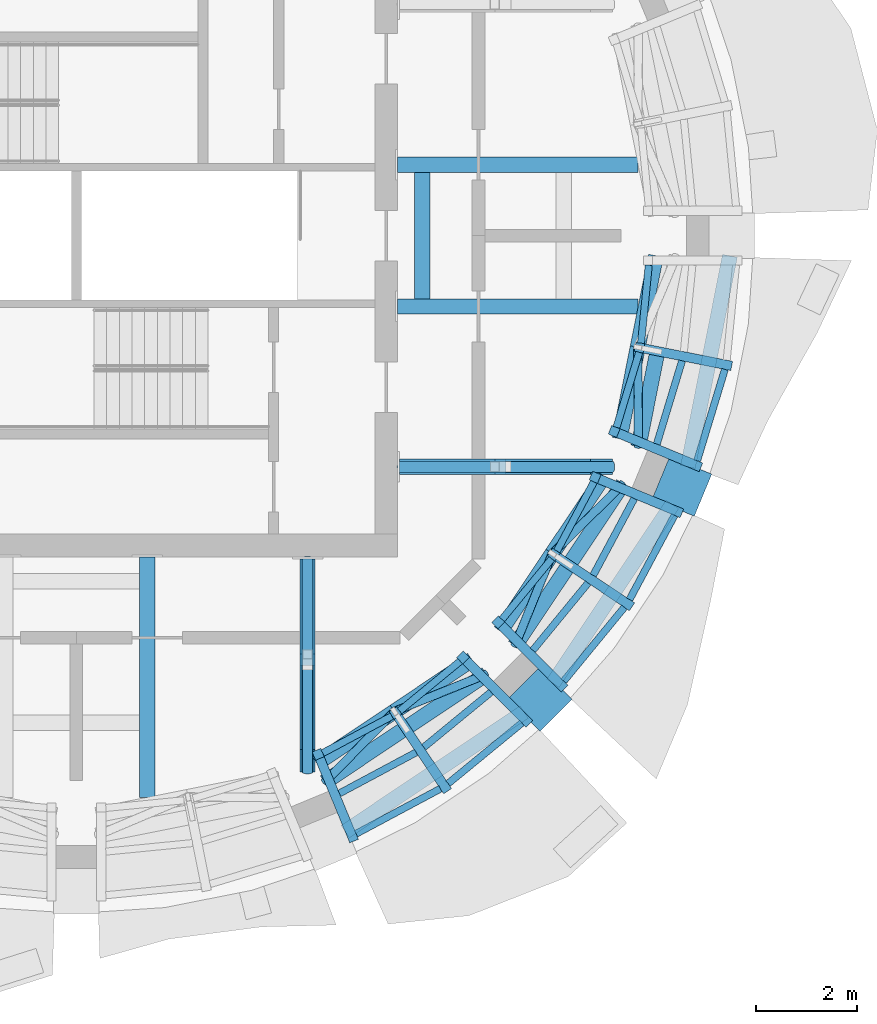
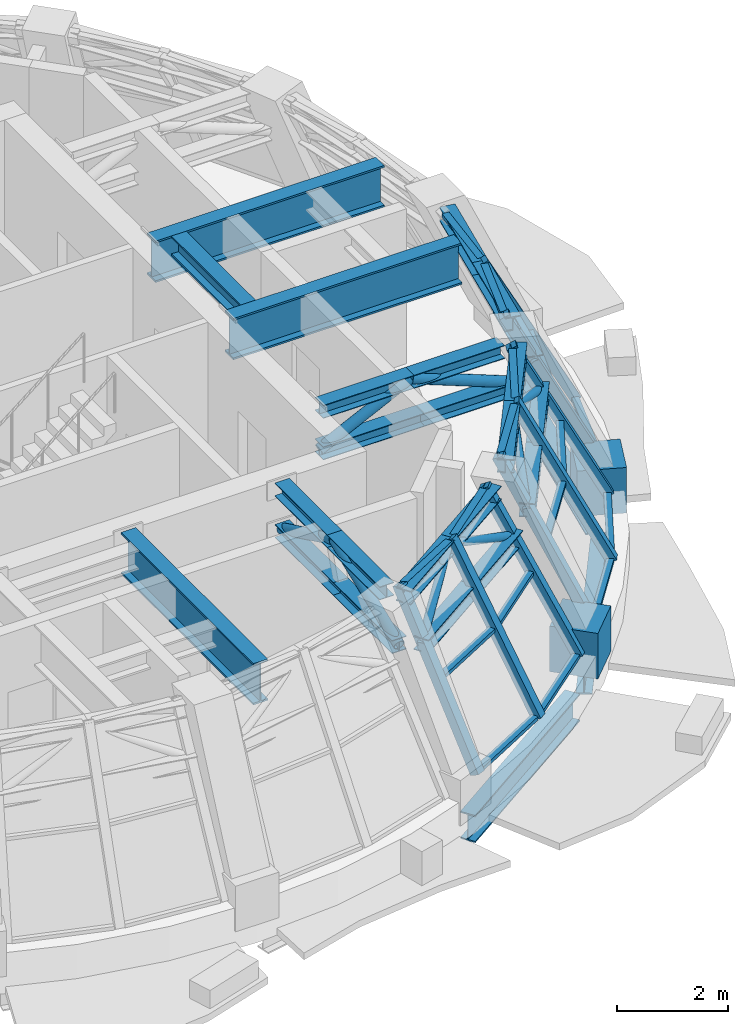
# One storey, part 3 of 12: 54 members, 7 beams, 3 elements without a shape of their own.
"""IFC4 building model written with IfcOpenShell, lengths in metres."""

from ifc_helpers import new_model, si_unit, direction, frame, origin, origin_2d, place, context, subcontext, project, spatial, rectangle, hollow_circle, i_section, extrude, material, material_profile, profile_set, type_object, element, aggregate, save


model = new_model("IFC4")

# Units and contexts
model_context = context("Model", 3, precision=1e-05, world=origin(), true_north=direction((0.0, 1.0)))
body_context = subcontext(model_context, "Body", "Model", "MODEL_VIEW")
ifc_project = project(units=[si_unit("LENGTHUNIT", "METRE"), si_unit("AREAUNIT", "SQUARE_METRE"), si_unit("VOLUMEUNIT", "CUBIC_METRE"), si_unit("PLANEANGLEUNIT", "RADIAN"), si_unit("MASSUNIT", "GRAM", prefix="KILO")], contexts=[model_context])

# Site, building, storey
site_placement = place(None, origin())
site = spatial("IfcSite", under=ifc_project, at=site_placement, CompositionType="ELEMENT")
building_placement = place(site_placement, origin())
building = spatial("IfcBuilding", under=site, at=building_placement, Name="Polderwave Tower", CompositionType="ELEMENT")
storey_placement = place(building_placement, frame((0.0, 0.0, 235.39990234375)))
storey = spatial("IfcBuildingStorey", under=building, at=storey_placement, Name="L64", CompositionType="ELEMENT", Elevation=235.39990234375)

# Members
ifc_material_1 = material(Name="Steel S460", Category="steel")
ifc_material_profile_1 = material_profile(ifc_material_1, i_section(OverallWidth=0.300048828125, OverallDepth=0.300048828125, WebThickness=0.010986328125, FlangeThickness=0.01904296875, at=origin_2d()), Name="HE 300 B")
ifc_profile_set_1 = profile_set([ifc_material_profile_1], Name="Steel S460")
member_type_1 = type_object("IfcMemberType", Name="BELT CHORD HE 300 B", PredefinedType="CHORD", material=ifc_profile_set_1)
member_1_placement = place(storey_placement, frame((4.75439453125, -10.4326171875, 3.25), z_axis=(0.831438347203, 0.555617021697, 0.0), x_axis=(-0.555617021697, 0.831438347203, 0.0)))
element("IfcMember", 1, at=member_1_placement, inside=storey, type_object=member_type_1, Name="ST-BT-L64-13-TC1", PredefinedType="CHORD", context=body_context, shape_type="SweptSolid", body=[
    extrude(i_section(OverallWidth=0.300048828125, OverallDepth=0.300048828125, WebThickness=0.010986328125, FlangeThickness=0.01904296875, at=origin_2d()), origin(), (0.0, 0.0, 1.0), 1.8427734375),
])
member_2_placement = place(storey_placement, frame((4.9091796875, -10.806884765625, 2.35009765625), z_axis=(0.831463590083, 0.555579245802, 0.0), x_axis=(-0.555579245802, 0.831463590083, 0.0)))
element("IfcMember", 2, at=member_2_placement, inside=storey, type_object=member_type_1, Name="ST-BT-L64-13-BC1", PredefinedType="CHORD", context=body_context, shape_type="SweptSolid", body=[
    extrude(i_section(OverallWidth=0.300048828125, OverallDepth=0.300048828125, WebThickness=0.010986328125, FlangeThickness=0.01904296875, at=origin_2d()), origin(), (0.0, 0.0, 1.0), 1.922119140625),
])
member_3_placement = place(storey_placement, frame((6.28662109375, -9.40869140625, 3.25), z_axis=(0.831479238083, 0.555555826751, 0.0), x_axis=(-0.555555826751, 0.831479238083, 0.0)))
element("IfcMember", 3, at=member_3_placement, inside=storey, type_object=member_type_1, Name="ST-BT-L64-13-TC2", PredefinedType="CHORD", context=body_context, shape_type="SweptSolid", body=[
    extrude(i_section(OverallWidth=0.300048828125, OverallDepth=0.300048828125, WebThickness=0.010986328125, FlangeThickness=0.01904296875, at=origin_2d()), origin(), (0.0, 0.0, 1.0), 1.843017578125),
])
member_4_placement = place(storey_placement, frame((6.50732421875, -9.739013671875, 2.35009765625), z_axis=(0.831463590083, 0.555579245802, 0.0), x_axis=(-0.555579245802, 0.831463590083, 0.0)))
element("IfcMember", 4, at=member_4_placement, inside=storey, type_object=member_type_1, Name="ST-BT-L64-13-BC2", PredefinedType="CHORD", context=body_context, shape_type="SweptSolid", body=[
    extrude(i_section(OverallWidth=0.300048828125, OverallDepth=0.300048828125, WebThickness=0.010986328125, FlangeThickness=0.01904296875, at=origin_2d()), origin(), (0.0, 0.0, 1.0), 1.922119140625),
])
member_5_placement = place(storey_placement, frame((8.384765625, -7.819091796875, 3.25), z_axis=(0.555555826751, 0.831479238083, 0.0), x_axis=(-0.831479238083, 0.555555826751, 0.0)))
element("IfcMember", 5, at=member_5_placement, inside=storey, type_object=member_type_1, Name="ST-BT-L64-14-TC1", PredefinedType="CHORD", context=body_context, shape_type="SweptSolid", body=[
    extrude(i_section(OverallWidth=0.300048828125, OverallDepth=0.300048828125, WebThickness=0.010986328125, FlangeThickness=0.01904296875, at=origin_2d()), origin(), (0.0, 0.0, 1.0), 1.843017578125),
])
member_6_placement = place(storey_placement, frame((8.671142578125, -8.10546875, 2.35009765625), z_axis=(0.555579245802, 0.831463590083, 0.0), x_axis=(-0.831463590083, 0.555579245802, 0.0)))
element("IfcMember", 6, at=member_6_placement, inside=storey, type_object=member_type_1, Name="ST-BT-L64-14-BC1", PredefinedType="CHORD", context=body_context, shape_type="SweptSolid", body=[
    extrude(i_section(OverallWidth=0.300048828125, OverallDepth=0.300048828125, WebThickness=0.010986328125, FlangeThickness=0.01904296875, at=origin_2d()), origin(), (0.0, 0.0, 1.0), 1.922119140625),
])
member_7_placement = place(storey_placement, frame((9.40869140625, -6.28662109375, 3.25), z_axis=(0.555617021697, 0.831438347203, 0.0), x_axis=(-0.831438347203, 0.555617021697, 0.0)))
element("IfcMember", 7, at=member_7_placement, inside=storey, type_object=member_type_1, Name="ST-BT-L64-14-TC2", PredefinedType="CHORD", context=body_context, shape_type="SweptSolid", body=[
    extrude(i_section(OverallWidth=0.300048828125, OverallDepth=0.300048828125, WebThickness=0.010986328125, FlangeThickness=0.01904296875, at=origin_2d()), origin(), (0.0, 0.0, 1.0), 1.8427734375),
])
member_8_placement = place(storey_placement, frame((9.739013671875, -6.50732421875, 2.35009765625), z_axis=(0.555579245802, 0.831463590083, 0.0), x_axis=(-0.831463590083, 0.555579245802, 0.0)))
element("IfcMember", 8, at=member_8_placement, inside=storey, type_object=member_type_1, Name="ST-BT-L64-14-BC2", PredefinedType="CHORD", context=body_context, shape_type="SweptSolid", body=[
    extrude(i_section(OverallWidth=0.300048828125, OverallDepth=0.300048828125, WebThickness=0.010986328125, FlangeThickness=0.01904296875, at=origin_2d()), origin(), (0.0, 0.0, 1.0), 1.922119140625),
])
member_9_placement = place(storey_placement, frame((10.73876953125, -4.01513671875, 3.25), z_axis=(0.195122538865, 0.980778871524, 0.0), x_axis=(-0.980778871524, 0.195122538865, 0.0)))
element("IfcMember", 9, at=member_9_placement, inside=storey, type_object=member_type_1, Name="ST-BT-L64-15-TC1", PredefinedType="CHORD", context=body_context, shape_type="SweptSolid", body=[
    extrude(i_section(OverallWidth=0.300048828125, OverallDepth=0.300048828125, WebThickness=0.010986328125, FlangeThickness=0.01904296875, at=origin_2d()), origin(), (0.0, 0.0, 1.0), 1.843017578125),
])
member_10_placement = place(storey_placement, frame((11.113037109375, -4.170166015625, 2.35009765625), z_axis=(0.195114468684, 0.980780477023, 0.0), x_axis=(-0.980780477023, 0.195114468684, 0.0)))
element("IfcMember", 10, at=member_10_placement, inside=storey, type_object=member_type_1, Name="ST-BT-L64-15-BC1", PredefinedType="CHORD", context=body_context, shape_type="SweptSolid", body=[
    extrude(i_section(OverallWidth=0.300048828125, OverallDepth=0.300048828125, WebThickness=0.010986328125, FlangeThickness=0.01904296875, at=origin_2d()), origin(), (0.0, 0.0, 1.0), 1.921875),
])
member_11_placement = place(storey_placement, frame((11.098388671875, -2.20751953125, 3.25), z_axis=(0.195122538865, 0.980778871524, 0.0), x_axis=(-0.980778871524, 0.195122538865, 0.0)))
element("IfcMember", 11, at=member_11_placement, inside=storey, type_object=member_type_1, Name="ST-BT-L64-15-TC2", PredefinedType="CHORD", context=body_context, shape_type="SweptSolid", body=[
    extrude(i_section(OverallWidth=0.300048828125, OverallDepth=0.300048828125, WebThickness=0.010986328125, FlangeThickness=0.01904296875, at=origin_2d()), origin(), (0.0, 0.0, 1.0), 1.843017578125),
])
ifc_material_profile_2 = material_profile(ifc_material_1, hollow_circle(Radius=0.084228515625, WallThickness=0.008056640625, at=origin_2d()), Name="CHS 168.3x8")
ifc_profile_set_2 = profile_set([ifc_material_profile_2], Name="Steel S460")
member_type_2 = type_object("IfcMemberType", Name="BELT DIAGONAL CHS 168.3x8", PredefinedType="BRACE", material=ifc_profile_set_2)
for number, where, z_axis, x_axis, name in (
    (12, (4.9091796875, -10.806884765625, 2.35009765625), (0.637942744099, 0.647553721279, 0.416777198644), (-0.71237353489, 0.701800503553, 0.0), "ST-BT-L64-13-D1"),
    (13, (6.28662109375, -9.40869140625, 3.25), (0.842383316613, 0.341589261676, -0.416781866448), (-0.375783065942, 0.926707660134, 0.0), "ST-BT-L64-13-D2"),
    (14, (8.671142578125, -8.10546875, 2.35009765625), (0.341589261676, 0.842383316613, 0.416781866448), (-0.926707660134, 0.375783065942, 0.0), "ST-BT-L64-14-D1"),
    (15, (9.40869140625, -6.28662109375, 3.25), (0.647553721279, 0.637942744099, -0.416777198644), (-0.701800503553, 0.71237353489, 0.0), "ST-BT-L64-14-D2"),
    (16, (11.113037109375, -4.170166015625, 2.35009765625), (-0.006784287361, 0.908981434905, 0.416781386872), (-0.99997214839, -0.007463407004, 0.0), "ST-BT-L64-15-D1"),
):
    element("IfcMember", number, at=place(storey_placement, frame(where, z_axis=z_axis, x_axis=x_axis)), inside=storey, type_object=member_type_2, Name=name, PredefinedType="BRACE", context=body_context, shape_type="SweptSolid", body=[
        extrude(hollow_circle(Radius=0.084228515625, WallThickness=0.008056640625, at=origin_2d()), origin(), (0.0, 0.0, 1.0), 2.1591796875),
    ])

# Curtain wall, members
ifc_material_2 = material(Name="Aluminium 6063-T6 and glass", Category="aluminium")
curtain_wall_type = type_object("IfcCurtainWallType", Name="Crown facet glazing wall", PredefinedType="NOTDEFINED", material=ifc_material_2)
curtain_wall_1_placement = place(storey_placement, origin())
curtain_wall_1 = element("IfcCurtainWall", 17, at=curtain_wall_1_placement, inside=storey, type_object=curtain_wall_type, Name="CROWN CW6 L64 13", PredefinedType="NOTDEFINED")
ifc_material_3 = material(Name="Aluminium 6063-T6", Category="aluminium")
ifc_material_profile_3 = material_profile(ifc_material_3, rectangle(XDim=0.18505859375, YDim=0.199951171875, at=origin_2d()), Name="AL 185x200")
ifc_profile_set_3 = profile_set([ifc_material_profile_3], Name="Aluminium 6063-T6")
member_type_3 = type_object("IfcMemberType", Name="Crown facet glazing mullion 185x200", PredefinedType="MULLION", material=ifc_profile_set_3)
member_12_placement = place(storey_placement, frame((5.45654296875, -11.888427734375, 0.0), z_axis=(-0.176411868684, 0.426153481267, 0.887283530215), x_axis=(-0.923961289625, -0.382485993567, 0.0)))
member_12 = element("IfcMember", 18, at=member_12_placement, type_object=member_type_3, Name="CW6 mullion 1", PredefinedType="MULLION", context=body_context, shape_type="SweptSolid", body=[
    extrude(rectangle(XDim=0.18505859375, YDim=0.199951171875, at=origin_2d()), origin(), (0.0, 0.0, 1.0), 3.83203125),
])
member_13_placement = place(storey_placement, frame((7.2890625, -10.908935546875, 0.0), z_axis=(-0.256289716032, 0.383574541444, 0.887235116873), x_axis=(-0.831476219755, -0.555560344141, 0.0)))
member_13 = element("IfcMember", 19, at=member_13_placement, type_object=member_type_3, Name="CW6 mullion 2", PredefinedType="MULLION", context=body_context, shape_type="SweptSolid", body=[
    extrude(rectangle(XDim=0.18505859375, YDim=0.199951171875, at=origin_2d()), origin(), (0.0, 0.0, 1.0), 3.832275390625),
])
member_14_placement = place(storey_placement, frame((8.89453125, -9.5908203125, 0.0), z_axis=(-0.326180736129, 0.326180736129, 0.887249826575), x_axis=(-0.707106781187, -0.707106781187, 0.0)))
member_14 = element("IfcMember", 20, at=member_14_placement, type_object=member_type_3, Name="CW6 mullion 3", PredefinedType="MULLION", context=body_context, shape_type="SweptSolid", body=[
    extrude(rectangle(XDim=0.18505859375, YDim=0.199951171875, at=origin_2d()), origin(), (0.0, 0.0, 1.0), 3.832275390625),
])

curtain_wall_2_placement = place(storey_placement, origin())
curtain_wall_2 = element("IfcCurtainWall", 21, at=curtain_wall_2_placement, inside=storey, type_object=curtain_wall_type, Name="CROWN CW6 L64 14", PredefinedType="NOTDEFINED")
member_15_placement = place(storey_placement, frame((9.5908203125, -8.89453125, 0.0), z_axis=(-0.326180736129, 0.326180736129, 0.887249826575), x_axis=(-0.707106781187, -0.707106781187, 0.0)))
member_15 = element("IfcMember", 22, at=member_15_placement, type_object=member_type_3, Name="CW6 mullion 1", PredefinedType="MULLION", context=body_context, shape_type="SweptSolid", body=[
    extrude(rectangle(XDim=0.18505859375, YDim=0.199951171875, at=origin_2d()), origin(), (0.0, 0.0, 1.0), 3.832275390625),
])
member_16_placement = place(storey_placement, frame((10.908935546875, -7.2890625, 0.0), z_axis=(-0.383574541444, 0.256289716032, 0.887235116873), x_axis=(-0.555560344141, -0.831476219755, 0.0)))
member_16 = element("IfcMember", 23, at=member_16_placement, type_object=member_type_3, Name="CW6 mullion 2", PredefinedType="MULLION", context=body_context, shape_type="SweptSolid", body=[
    extrude(rectangle(XDim=0.18505859375, YDim=0.199951171875, at=origin_2d()), origin(), (0.0, 0.0, 1.0), 3.832275390625),
])
member_17_placement = place(storey_placement, frame((11.888427734375, -5.45654296875, 0.0), z_axis=(-0.426153481267, 0.176411868684, 0.887283530215), x_axis=(-0.382485993567, -0.923961289625, 0.0)))
member_17 = element("IfcMember", 24, at=member_17_placement, type_object=member_type_3, Name="CW6 mullion 3", PredefinedType="MULLION", context=body_context, shape_type="SweptSolid", body=[
    extrude(rectangle(XDim=0.18505859375, YDim=0.199951171875, at=origin_2d()), origin(), (0.0, 0.0, 1.0), 3.83203125),
])

curtain_wall_3_placement = place(storey_placement, origin())
curtain_wall_3 = element("IfcCurtainWall", 25, at=curtain_wall_3_placement, inside=storey, type_object=curtain_wall_type, Name="CROWN CW6 L64 15", PredefinedType="NOTDEFINED")
member_18_placement = place(storey_placement, frame((12.264892578125, -4.547607421875, 0.0), z_axis=(-0.426153481267, 0.176411868684, 0.887283530215), x_axis=(-0.382485993567, -0.923961289625, 0.0)))
member_18 = element("IfcMember", 26, at=member_18_placement, type_object=member_type_3, Name="CW6 mullion 1", PredefinedType="MULLION", context=body_context, shape_type="SweptSolid", body=[
    extrude(rectangle(XDim=0.18505859375, YDim=0.199951171875, at=origin_2d()), origin(), (0.0, 0.0, 1.0), 3.83203125),
])
member_19_placement = place(storey_placement, frame((12.867919921875, -2.56005859375, 0.0), z_axis=(-0.452442689368, 0.090017110684, 0.88723871231), x_axis=(-0.195133411565, -0.980776708375, 0.0)))
member_19 = element("IfcMember", 27, at=member_19_placement, type_object=member_type_3, Name="CW6 mullion 2", PredefinedType="MULLION", context=body_context, shape_type="SweptSolid", body=[
    extrude(rectangle(XDim=0.18505859375, YDim=0.199951171875, at=origin_2d()), origin(), (0.0, 0.0, 1.0), 3.832275390625),
])

# Member
ifc_material_profile_4 = material_profile(ifc_material_3, rectangle(XDim=0.139892578125, YDim=0.080078125, at=origin_2d()), Name="AL 80x140")
ifc_profile_set_4 = profile_set([ifc_material_profile_4], Name="Aluminium 6063-T6")
member_type_4 = type_object("IfcMemberType", Name="Crown facet glazing transom 80x140", PredefinedType="USERDEFINED", material=ifc_profile_set_4)
member_20_placement = place(storey_placement, frame((5.5302734375, -11.82568359375, 0.0400390625), z_axis=(0.881890896248, 0.471453547144, 0.0), x_axis=(-0.471453547144, 0.881890896248, 0.0)))
member_20 = element("IfcMember", 28, at=member_20_placement, type_object=member_type_4, Name="CW6 transom 1", ObjectType="TRANSOM", PredefinedType="USERDEFINED", context=body_context, shape_type="SweptSolid", body=[
    extrude(rectangle(XDim=0.139892578125, YDim=0.080078125, at=origin_2d()), origin(), (0.0, 0.0, 1.0), 1.888671875),
])

member_21_placement = place(storey_placement, frame((5.2001953125, -11.0283203125, 1.7001953125), z_axis=(0.881821721704, 0.471582920737, 0.0), x_axis=(-0.471582920737, 0.881821721704, 0.0)))
member_21 = element("IfcMember", 29, at=member_21_placement, type_object=member_type_4, Name="CW6 transom 2", ObjectType="TRANSOM", PredefinedType="USERDEFINED", context=body_context, shape_type="SweptSolid", body=[
    extrude(rectangle(XDim=0.139892578125, YDim=0.080078125, at=origin_2d()), origin(), (0.0, 0.0, 1.0), 1.71923828125),
])

member_22_placement = place(storey_placement, frame((4.8701171875, -10.23095703125, 3.360107421875), z_axis=(0.881837952889, 0.471552568485, 0.0), x_axis=(-0.471552568485, 0.881837952889, 0.0)))
member_22 = element("IfcMember", 30, at=member_22_placement, type_object=member_type_4, Name="CW6 transom 3", ObjectType="TRANSOM", PredefinedType="USERDEFINED", context=body_context, shape_type="SweptSolid", body=[
    extrude(rectangle(XDim=0.139892578125, YDim=0.080078125, at=origin_2d()), origin(), (0.0, 0.0, 1.0), 1.550048828125),
])

member_23_placement = place(storey_placement, frame((7.348876953125, -10.8330078125, 0.0400390625), z_axis=(0.772884763536, 0.63454640673, 0.0), x_axis=(-0.63454640673, 0.772884763536, 0.0)))
member_23 = element("IfcMember", 31, at=member_23_placement, type_object=member_type_4, Name="CW6 transom 4", ObjectType="TRANSOM", PredefinedType="USERDEFINED", context=body_context, shape_type="SweptSolid", body=[
    extrude(rectangle(XDim=0.139892578125, YDim=0.080078125, at=origin_2d()), origin(), (0.0, 0.0, 1.0), 1.888427734375),
])

member_24_placement = place(storey_placement, frame((6.869384765625, -10.115234375, 1.7001953125), z_axis=(0.772880475824, 0.634551629177, 0.0), x_axis=(-0.634551629177, 0.772880475824, 0.0)))
member_24 = element("IfcMember", 32, at=member_24_placement, type_object=member_type_4, Name="CW6 transom 5", ObjectType="TRANSOM", PredefinedType="USERDEFINED", context=body_context, shape_type="SweptSolid", body=[
    extrude(rectangle(XDim=0.139892578125, YDim=0.080078125, at=origin_2d()), origin(), (0.0, 0.0, 1.0), 1.718994140625),
])

member_25_placement = place(storey_placement, frame((6.389892578125, -9.397705078125, 3.360107421875), z_axis=(0.772797991824, 0.634652080933, 0.0), x_axis=(-0.634652080933, 0.772797991824, 0.0)))
member_25 = element("IfcMember", 33, at=member_25_placement, type_object=member_type_4, Name="CW6 transom 6", ObjectType="TRANSOM", PredefinedType="USERDEFINED", context=body_context, shape_type="SweptSolid", body=[
    extrude(rectangle(XDim=0.139892578125, YDim=0.080078125, at=origin_2d()), origin(), (0.0, 0.0, 1.0), 1.5498046875),
])

aggregate(curtain_wall_1, [member_12, member_13, member_14, member_20, member_21, member_22, member_23, member_24, member_25])

member_26_placement = place(storey_placement, frame((9.634765625, -8.808349609375, 0.0400390625), z_axis=(0.63454640673, 0.772884763536, 0.0), x_axis=(-0.772884763536, 0.63454640673, 0.0)))
member_26 = element("IfcMember", 34, at=member_26_placement, type_object=member_type_4, Name="CW6 transom 1", ObjectType="TRANSOM", PredefinedType="USERDEFINED", context=body_context, shape_type="SweptSolid", body=[
    extrude(rectangle(XDim=0.139892578125, YDim=0.080078125, at=origin_2d()), origin(), (0.0, 0.0, 1.0), 1.888427734375),
])

member_27_placement = place(storey_placement, frame((9.0244140625, -8.197998046875, 1.7001953125), z_axis=(0.634551629177, 0.772880475824, 0.0), x_axis=(-0.772880475824, 0.634551629177, 0.0)))
member_27 = element("IfcMember", 35, at=member_27_placement, type_object=member_type_4, Name="CW6 transom 2", ObjectType="TRANSOM", PredefinedType="USERDEFINED", context=body_context, shape_type="SweptSolid", body=[
    extrude(rectangle(XDim=0.139892578125, YDim=0.080078125, at=origin_2d()), origin(), (0.0, 0.0, 1.0), 1.718994140625),
])

member_28_placement = place(storey_placement, frame((8.4140625, -7.587646484375, 3.360107421875), z_axis=(0.634652080933, 0.772797991824, 0.0), x_axis=(-0.772797991824, 0.634652080933, 0.0)))
member_28 = element("IfcMember", 36, at=member_28_placement, type_object=member_type_4, Name="CW6 transom 3", ObjectType="TRANSOM", PredefinedType="USERDEFINED", context=body_context, shape_type="SweptSolid", body=[
    extrude(rectangle(XDim=0.139892578125, YDim=0.080078125, at=origin_2d()), origin(), (0.0, 0.0, 1.0), 1.5498046875),
])

member_29_placement = place(storey_placement, frame((10.935302734375, -7.19580078125, 0.0400390625), z_axis=(0.471453547144, 0.881890896248, 0.0), x_axis=(-0.881890896248, 0.471453547144, 0.0)))
member_29 = element("IfcMember", 37, at=member_29_placement, type_object=member_type_4, Name="CW6 transom 4", ObjectType="TRANSOM", PredefinedType="USERDEFINED", context=body_context, shape_type="SweptSolid", body=[
    extrude(rectangle(XDim=0.139892578125, YDim=0.080078125, at=origin_2d()), origin(), (0.0, 0.0, 1.0), 1.888671875),
])

member_30_placement = place(storey_placement, frame((10.217529296875, -6.71630859375, 1.7001953125), z_axis=(0.471582920737, 0.881821721704, 0.0), x_axis=(-0.881821721704, 0.471582920737, 0.0)))
member_30 = element("IfcMember", 38, at=member_30_placement, type_object=member_type_4, Name="CW6 transom 5", ObjectType="TRANSOM", PredefinedType="USERDEFINED", context=body_context, shape_type="SweptSolid", body=[
    extrude(rectangle(XDim=0.139892578125, YDim=0.080078125, at=origin_2d()), origin(), (0.0, 0.0, 1.0), 1.71923828125),
])

member_31_placement = place(storey_placement, frame((9.5, -6.237060546875, 3.360107421875), z_axis=(0.471552568485, 0.881837952889, 0.0), x_axis=(-0.881837952889, 0.471552568485, 0.0)))
member_31 = element("IfcMember", 39, at=member_31_placement, type_object=member_type_4, Name="CW6 transom 6", ObjectType="TRANSOM", PredefinedType="USERDEFINED", context=body_context, shape_type="SweptSolid", body=[
    extrude(rectangle(XDim=0.139892578125, YDim=0.080078125, at=origin_2d()), origin(), (0.0, 0.0, 1.0), 1.550048828125),
])

aggregate(curtain_wall_2, [member_15, member_16, member_17, member_26, member_27, member_28, member_29, member_30, member_31])

member_32_placement = place(storey_placement, frame((12.2724609375, -4.450927734375, 0.0400390625), z_axis=(0.290466801867, 0.956885069908, 0.0), x_axis=(-0.956885069908, 0.290466801867, 0.0)))
member_32 = element("IfcMember", 40, at=member_32_placement, type_object=member_type_4, Name="CW6 transom 1", ObjectType="TRANSOM", PredefinedType="USERDEFINED", context=body_context, shape_type="SweptSolid", body=[
    extrude(rectangle(XDim=0.139892578125, YDim=0.080078125, at=origin_2d()), origin(), (0.0, 0.0, 1.0), 1.8876953125),
])

member_33_placement = place(storey_placement, frame((11.47509765625, -4.12109375, 1.7001953125), z_axis=(0.290291185896, 0.956938361333, 0.0), x_axis=(-0.956938361333, 0.290291185896, 0.0)))
member_33 = element("IfcMember", 41, at=member_33_placement, type_object=member_type_4, Name="CW6 transom 2", ObjectType="TRANSOM", PredefinedType="USERDEFINED", context=body_context, shape_type="SweptSolid", body=[
    extrude(rectangle(XDim=0.139892578125, YDim=0.080078125, at=origin_2d()), origin(), (0.0, 0.0, 1.0), 1.718994140625),
])

member_34_placement = place(storey_placement, frame((10.677978515625, -3.791015625, 3.360107421875), z_axis=(0.289976793855, 0.957033677059, 0.0), x_axis=(-0.957033677059, 0.289976793855, 0.0)))
member_34 = element("IfcMember", 42, at=member_34_placement, type_object=member_type_4, Name="CW6 transom 3", ObjectType="TRANSOM", PredefinedType="USERDEFINED", context=body_context, shape_type="SweptSolid", body=[
    extrude(rectangle(XDim=0.139892578125, YDim=0.080078125, at=origin_2d()), origin(), (0.0, 0.0, 1.0), 1.550048828125),
])

member_35_placement = place(storey_placement, frame((11.163330078125, -2.126953125, 3.360107421875), z_axis=(0.098256415474, 0.995161131083, 0.0), x_axis=(-0.995161131083, 0.098256415474, 0.0)))
member_35 = element("IfcMember", 43, at=member_35_placement, type_object=member_type_4, Name="CW6 transom 6", ObjectType="TRANSOM", PredefinedType="USERDEFINED", context=body_context, shape_type="SweptSolid", body=[
    extrude(rectangle(XDim=0.139892578125, YDim=0.080078125, at=origin_2d()), origin(), (0.0, 0.0, 1.0), 1.550537109375),
])

aggregate(curtain_wall_3, [member_18, member_19, member_32, member_33, member_34, member_35])

# Beams
ifc_material_profile_5 = material_profile(ifc_material_1, i_section(OverallWidth=0.302001953125, OverallDepth=0.909912109375, WebThickness=0.02099609375, FlangeThickness=0.0400390625, at=origin_2d()), Name="HE 900 M")
ifc_profile_set_5 = profile_set([ifc_material_profile_5], Name="Steel S460")
beam_type_1 = type_object("IfcBeamType", Name="DAMPER SUPPORT BEAM HE 900 M", PredefinedType="BEAM", material=ifc_profile_set_5)
for number, where, z_axis, x_axis, name in (
    (44, (6.35009765625, -1.39990234375, 2.945068359375), (1.0, 0.0, 0.0), (0.0, 1.0, 0.0), "Damper support beam 1.1"),
    (45, (6.35009765625, 1.39990234375, 2.945068359375), (1.0, 0.0, 0.0), (0.0, 1.0, 0.0), "Damper support beam 1.2"),
    (46, (1.39990234375, -6.35009765625, 2.945068359375), (0.0, -1.0, 0.0), (1.0, 0.0, 0.0), "Damper support beam 4.2"),
):
    element("IfcBeam", number, at=place(storey_placement, frame(where, z_axis=z_axis, x_axis=x_axis)), inside=storey, type_object=beam_type_1, Name=name, PredefinedType="BEAM", context=body_context, shape_type="SweptSolid", body=[
        extrude(i_section(OverallWidth=0.302001953125, OverallDepth=0.909912109375, WebThickness=0.02099609375, FlangeThickness=0.0400390625, at=origin_2d()), origin(), (0.0, 0.0, 1.0), 4.756103515625),
    ])
ifc_material_profile_6 = material_profile(ifc_material_1, i_section(OverallWidth=0.306884765625, OverallDepth=0.431884765625, WebThickness=0.02099609375, FlangeThickness=0.0400390625, at=origin_2d()), Name="HE 400 M")
ifc_profile_set_6 = profile_set([ifc_material_profile_6], Name="Steel S460")
beam_type_2 = type_object("IfcBeamType", Name="DAMPER TIE BEAM HE 400 M", PredefinedType="BEAM", material=ifc_profile_set_6)
beam_placement = place(storey_placement, frame((6.8349609375, -1.2490234375, 3.18408203125), z_axis=(0.0, 1.0, 0.0), x_axis=(-1.0, 0.0, 0.0)))
element("IfcBeam", 47, at=beam_placement, inside=storey, type_object=beam_type_2, Name="Damper tie beam 1.1", PredefinedType="BEAM", context=body_context, shape_type="SweptSolid", body=[
    extrude(i_section(OverallWidth=0.306884765625, OverallDepth=0.431884765625, WebThickness=0.02099609375, FlangeThickness=0.0400390625, at=origin_2d()), origin(), (0.0, 0.0, 1.0), 2.498046875),
])

# Members
ifc_material_profile_7 = material_profile(ifc_material_1, i_section(OverallWidth=0.300048828125, OverallDepth=0.2900390625, WebThickness=0.008544921875, FlangeThickness=0.013916015625, at=origin_2d()), Name="HE 300 A")
ifc_profile_set_7 = profile_set([ifc_material_profile_7], Name="Steel S460")
member_type_5 = type_object("IfcMemberType", Name="OUTRIGGER CHORD HE 300 A", PredefinedType="CHORD", material=ifc_profile_set_7)
member_36_placement = place(storey_placement, frame((4.571044921875, -6.389892578125, 3.255126953125), z_axis=(0.0, -1.0, 0.0), x_axis=(1.0, 0.0, 0.0)))
element("IfcMember", 48, at=member_36_placement, inside=storey, type_object=member_type_5, Name="ST-OR-L64-13-TC1", PredefinedType="CHORD", context=body_context, shape_type="SweptSolid", body=[
    extrude(i_section(OverallWidth=0.300048828125, OverallDepth=0.2900390625, WebThickness=0.008544921875, FlangeThickness=0.013916015625, at=origin_2d()), origin(), (0.0, 0.0, 1.0), 1.884765625),
])
member_37_placement = place(storey_placement, frame((4.571044921875, -6.389892578125, 2.34521484375), z_axis=(0.0, -1.0, 0.0), x_axis=(1.0, 0.0, 0.0)))
element("IfcMember", 49, at=member_37_placement, inside=storey, type_object=member_type_5, Name="ST-OR-L64-13-BC1", PredefinedType="CHORD", context=body_context, shape_type="SweptSolid", body=[
    extrude(i_section(OverallWidth=0.300048828125, OverallDepth=0.2900390625, WebThickness=0.008544921875, FlangeThickness=0.013916015625, at=origin_2d()), origin(), (0.0, 0.0, 1.0), 2.1064453125),
])
member_38_placement = place(storey_placement, frame((4.571044921875, -8.274658203125, 3.255126953125), z_axis=(0.0, -1.0, 0.0), x_axis=(1.0, 0.0, 0.0)))
element("IfcMember", 50, at=member_38_placement, inside=storey, type_object=member_type_5, Name="ST-OR-L64-13-TC2", PredefinedType="CHORD", context=body_context, shape_type="SweptSolid", body=[
    extrude(i_section(OverallWidth=0.300048828125, OverallDepth=0.2900390625, WebThickness=0.008544921875, FlangeThickness=0.013916015625, at=origin_2d()), origin(), (0.0, 0.0, 1.0), 1.884765625),
])
member_39_placement = place(storey_placement, frame((4.571044921875, -8.496337890625, 2.34521484375), z_axis=(0.0, -1.0, 0.0), x_axis=(1.0, 0.0, 0.0)))
element("IfcMember", 51, at=member_39_placement, inside=storey, type_object=member_type_5, Name="ST-OR-L64-13-BC2", PredefinedType="CHORD", context=body_context, shape_type="SweptSolid", body=[
    extrude(i_section(OverallWidth=0.300048828125, OverallDepth=0.2900390625, WebThickness=0.008544921875, FlangeThickness=0.013916015625, at=origin_2d()), origin(), (0.0, 0.0, 1.0), 2.106201171875),
])
member_40_placement = place(storey_placement, frame((6.389892578125, -4.571044921875, 3.255126953125), z_axis=(1.0, 0.0, 0.0), x_axis=(0.0, 1.0, 0.0)))
element("IfcMember", 52, at=member_40_placement, inside=storey, type_object=member_type_5, Name="ST-OR-L64-15-TC1", PredefinedType="CHORD", context=body_context, shape_type="SweptSolid", body=[
    extrude(i_section(OverallWidth=0.300048828125, OverallDepth=0.2900390625, WebThickness=0.008544921875, FlangeThickness=0.013916015625, at=origin_2d()), origin(), (0.0, 0.0, 1.0), 1.884765625),
])
member_41_placement = place(storey_placement, frame((6.389892578125, -4.571044921875, 2.34521484375), z_axis=(1.0, 0.0, 0.0), x_axis=(0.0, 1.0, 0.0)))
element("IfcMember", 53, at=member_41_placement, inside=storey, type_object=member_type_5, Name="ST-OR-L64-15-BC1", PredefinedType="CHORD", context=body_context, shape_type="SweptSolid", body=[
    extrude(i_section(OverallWidth=0.300048828125, OverallDepth=0.2900390625, WebThickness=0.008544921875, FlangeThickness=0.013916015625, at=origin_2d()), origin(), (0.0, 0.0, 1.0), 2.1064453125),
])
member_42_placement = place(storey_placement, frame((8.274658203125, -4.571044921875, 3.255126953125), z_axis=(1.0, 0.0, 0.0), x_axis=(0.0, 1.0, 0.0)))
element("IfcMember", 54, at=member_42_placement, inside=storey, type_object=member_type_5, Name="ST-OR-L64-15-TC2", PredefinedType="CHORD", context=body_context, shape_type="SweptSolid", body=[
    extrude(i_section(OverallWidth=0.300048828125, OverallDepth=0.2900390625, WebThickness=0.008544921875, FlangeThickness=0.013916015625, at=origin_2d()), origin(), (0.0, 0.0, 1.0), 1.884765625),
])
member_43_placement = place(storey_placement, frame((8.496337890625, -4.571044921875, 2.34521484375), z_axis=(1.0, 0.0, 0.0), x_axis=(0.0, 1.0, 0.0)))
element("IfcMember", 55, at=member_43_placement, inside=storey, type_object=member_type_5, Name="ST-OR-L64-15-BC2", PredefinedType="CHORD", context=body_context, shape_type="SweptSolid", body=[
    extrude(i_section(OverallWidth=0.300048828125, OverallDepth=0.2900390625, WebThickness=0.008544921875, FlangeThickness=0.013916015625, at=origin_2d()), origin(), (0.0, 0.0, 1.0), 2.106201171875),
])
ifc_material_profile_8 = material_profile(ifc_material_1, hollow_circle(Radius=0.109619140625, WallThickness=0.010009765625, at=origin_2d()), Name="CHS 219.1x10")
ifc_profile_set_8 = profile_set([ifc_material_profile_8], Name="Steel S460")
member_type_6 = type_object("IfcMemberType", Name="OUTRIGGER DIAGONAL CHS 219.1x10", PredefinedType="BRACE", material=ifc_profile_set_8)
member_44_placement = place(storey_placement, frame((4.571044921875, -6.389892578125, 2.34521484375), z_axis=(0.0, -0.900546911771, 0.434758852354), x_axis=(1.0, 0.0, 0.0)))
element("IfcMember", 56, at=member_44_placement, inside=storey, type_object=member_type_6, Name="ST-OR-L64-13-D1", PredefinedType="BRACE", context=body_context, shape_type="SweptSolid", body=[
    extrude(hollow_circle(Radius=0.109619140625, WallThickness=0.010009765625, at=origin_2d()), origin(), (0.0, 0.0, 1.0), 2.093017578125),
])
member_45_placement = place(storey_placement, frame((4.571044921875, -8.274658203125, 3.255126953125), z_axis=(0.0, -0.931378186214, -0.364053120086), x_axis=(1.0, 0.0, 0.0)))
element("IfcMember", 57, at=member_45_placement, inside=storey, type_object=member_type_6, Name="ST-OR-L64-13-D2", PredefinedType="BRACE", context=body_context, shape_type="SweptSolid", body=[
    extrude(hollow_circle(Radius=0.109619140625, WallThickness=0.010009765625, at=origin_2d()), origin(), (0.0, 0.0, 1.0), 2.49951171875),
])
member_46_placement = place(storey_placement, frame((6.389892578125, -4.571044921875, 2.34521484375), z_axis=(0.900546911771, 0.0, 0.434758852354), x_axis=(0.0, 1.0, 0.0)))
element("IfcMember", 58, at=member_46_placement, inside=storey, type_object=member_type_6, Name="ST-OR-L64-15-D1", PredefinedType="BRACE", context=body_context, shape_type="SweptSolid", body=[
    extrude(hollow_circle(Radius=0.109619140625, WallThickness=0.010009765625, at=origin_2d()), origin(), (0.0, 0.0, 1.0), 2.093017578125),
])
member_47_placement = place(storey_placement, frame((8.274658203125, -4.571044921875, 3.255126953125), z_axis=(0.931378186214, 0.0, -0.364053120086), x_axis=(0.0, 1.0, 0.0)))
element("IfcMember", 59, at=member_47_placement, inside=storey, type_object=member_type_6, Name="ST-OR-L64-15-D2", PredefinedType="BRACE", context=body_context, shape_type="SweptSolid", body=[
    extrude(hollow_circle(Radius=0.109619140625, WallThickness=0.010009765625, at=origin_2d()), origin(), (0.0, 0.0, 1.0), 2.49951171875),
])
ifc_material_4 = material(Name="Concrete C60/75", Category="concrete")
ifc_material_profile_9 = material_profile(ifc_material_4, rectangle(XDim=0.89990234375, YDim=0.89990234375, at=origin_2d()), Name="RC 900x900")
ifc_profile_set_9 = profile_set([ifc_material_profile_9], Name="Concrete C60/75")
member_type_7 = type_object("IfcMemberType", Name="RC NODE 900x900 C60/75", PredefinedType="POST", material=ifc_profile_set_9)
for number, where, z_axis, x_axis, name in (
    (60, (9.163330078125, -9.163330078125, -0.5), (0.0, 0.0, 1.0), (0.707106781187, -0.707106781187, 0.0), "Ring column node 15"),
    (61, (11.972412109375, -4.959228515625, -0.5), (0.0, 0.0, 1.0), (0.923879532511, -0.382683432365, 0.0), "Ring column node 16"),
):
    element("IfcMember", number, at=place(storey_placement, frame(where, z_axis=z_axis, x_axis=x_axis)), inside=storey, type_object=member_type_7, Name=name, PredefinedType="POST", context=body_context, shape_type="SweptSolid", body=[
        extrude(rectangle(XDim=0.89990234375, YDim=0.89990234375, at=origin_2d()), origin(), (0.0, 0.0, 1.0), 1.0),
    ])

# Beams
ifc_material_5 = material(Name="Steel S355", Category="steel")
ifc_material_profile_10 = material_profile(ifc_material_5, i_section(OverallWidth=0.300048828125, OverallDepth=0.60009765625, WebThickness=0.015380859375, FlangeThickness=0.030029296875, at=origin_2d()), Name="HE 600 B")
ifc_profile_set_10 = profile_set([ifc_material_profile_10], Name="Steel S355")
beam_type_3 = type_object("IfcBeamType", Name="RING BEAM HE 600 B", PredefinedType="BEAM", material=ifc_profile_set_10)
for number, where, z_axis, x_axis, name in (
    (62, (5.31396484375, -11.783935546875, -1.199951171875), (0.831458636036, 0.555586659811, 0.0), (-0.555586659811, 0.831458636036, 0.0), "ST-RB-L64-13"),
    (63, (9.4189453125, -8.853271484375, -1.199951171875), (0.555586659811, 0.831458636036, 0.0), (-0.831458636036, 0.555586659811, 0.0), "ST-RB-L64-14"),
    (64, (12.090087890625, -4.574951171875, -1.199951171875), (0.195057198118, 0.980791868575, 0.0), (-0.980791868575, 0.195057198118, 0.0), "ST-RB-L64-15"),
):
    element("IfcBeam", number, at=place(storey_placement, frame(where, z_axis=z_axis, x_axis=x_axis)), inside=storey, type_object=beam_type_3, Name=name, PredefinedType="BEAM", context=body_context, shape_type="SweptSolid", body=[
        extrude(i_section(OverallWidth=0.300048828125, OverallDepth=0.60009765625, WebThickness=0.015380859375, FlangeThickness=0.030029296875, at=origin_2d()), origin(), (0.0, 0.0, 1.0), 4.2568359375),
    ])

save(model, "model.ifc")
